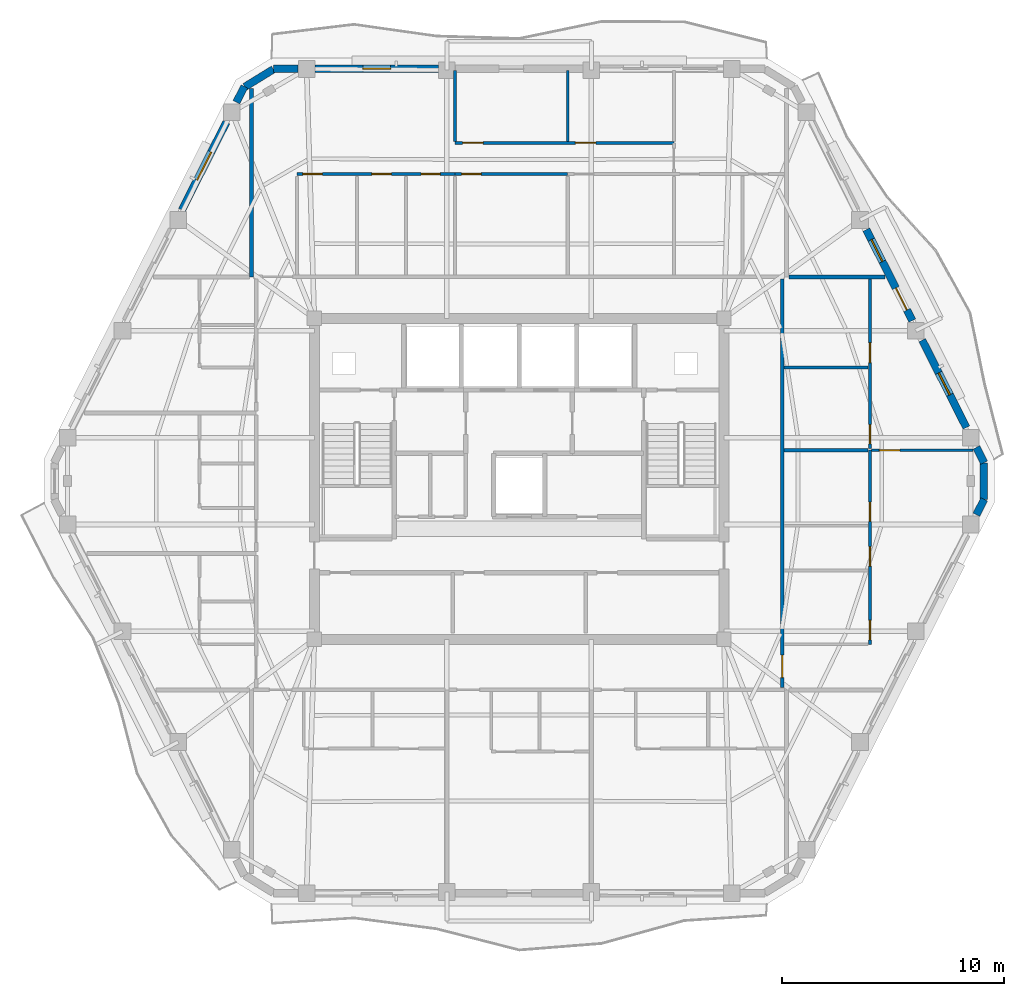
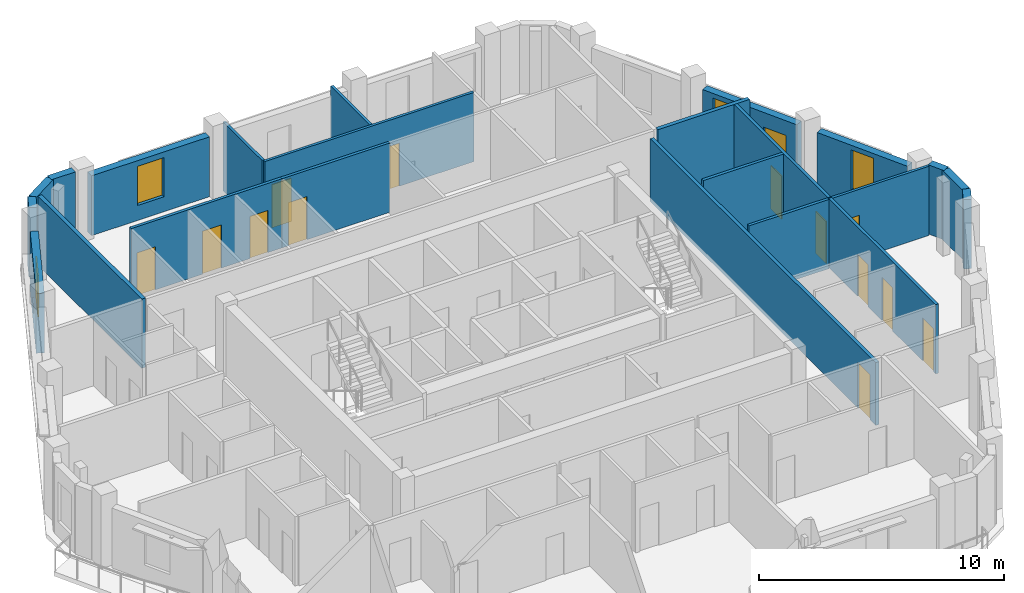
# One storey, part 7 of 11: 23 walls, 14 doors, 4 windows, 18 openings.
"""IFC4 building model written with IfcOpenShell, lengths in metres."""

from ifc_helpers import new_model, si_unit, direction, frame, frame_2d, origin, place, context, subcontext, project, spatial, rectangle, extrude, material, layer, layer_set, type_object, element, fill, save


model = new_model("IFC4")

# Units and contexts
model_context = context("Model", 3, precision=1e-05, world=origin(), true_north=direction((0.0, 1.0)))
body_context = subcontext(model_context, "Body", "Model", "MODEL_VIEW")
ifc_project = project(units=[si_unit("LENGTHUNIT", "METRE"), si_unit("AREAUNIT", "SQUARE_METRE"), si_unit("VOLUMEUNIT", "CUBIC_METRE"), si_unit("PLANEANGLEUNIT", "RADIAN"), si_unit("MASSUNIT", "GRAM", prefix="KILO")], contexts=[model_context])

# Site, building, storey
site_placement = place(None, origin())
site = spatial("IfcSite", under=ifc_project, at=site_placement, CompositionType="ELEMENT")
building_placement = place(site_placement, origin())
building = spatial("IfcBuilding", under=site, at=building_placement, Name="Cinnabar Lancet Tower", CompositionType="ELEMENT")
storey_placement = place(building_placement, frame((0.0, 0.0, 241.60009765625)))
storey = spatial("IfcBuildingStorey", under=building, at=storey_placement, Name="L64", CompositionType="ELEMENT", Elevation=241.60009765625)

# Wall, opening, door
ifc_material_1 = material(Name="Acoustic twin-stud gypsum partition", Category="gypsum")
ifc_layer_1 = layer(ifc_material_1, 0.159912109375)
ifc_layer_set_1 = layer_set([ifc_layer_1], Name="Acoustic twin-stud gypsum partition")
wall_type_1 = type_object("IfcWallType", Name="ARC-WL-CORR-160", PredefinedType="PARTITIONING", material=ifc_layer_set_1)
wall_1_placement = place(storey_placement, frame((44.25, 16.4951171875, 0.0), z_axis=(0.0, 0.0, 1.0), x_axis=(0.0, 1.0, 0.0)))
wall_1 = element("IfcWall", 1, at=wall_1_placement, inside=storey, type_object=wall_type_1, Name="UW-L64-E01-COR", PredefinedType="PARTITIONING", context=body_context, shape_type="SweptSolid", body=[
    extrude(rectangle(XDim=18.409912109375, YDim=0.159912109375, at=frame_2d((9.205078125, 0.0))), origin(), (0.0, 0.0, 1.0), 3.136962890625),
])
opening_1_placement = place(wall_1_placement, frame((0.449951171875, 0.0, 0.0)))
opening_1 = element("IfcOpeningElement", 2, at=opening_1_placement, cuts=wall_1, Name="Opening UD-01", PredefinedType="OPENING", context=body_context, shape_type="SweptSolid", body=[
    extrude(rectangle(XDim=1.02001953125, YDim=2.25, at=frame_2d((0.510009765625, 1.125))), frame((0.0, 0.08984375, 0.0), z_axis=(0.0, -1.0, 0.0), x_axis=(1.0, 0.0, 0.0)), (0.0, 0.0, 1.0), 0.179931640625),
])
ifc_material_2 = material(Name="Solid timber fire-rated apartment entrance door", Category="wood")
door_type_1 = type_object("IfcDoorType", Name="ARC-DR-UNIT", OperationType="NOTDEFINED", PredefinedType="DOOR", material=ifc_material_2)
door_1_placement = place(opening_1_placement, origin())
door_1 = element("IfcDoor", 3, at=door_1_placement, inside=storey, type_object=door_type_1, Name="DR-L64-E01-ENT", OperationType="SINGLE_SWING_LEFT", OverallHeight=2.25, OverallWidth=1.02001953125, PredefinedType="DOOR", context=body_context, shape_type="SweptSolid", body=[
    extrude(rectangle(XDim=1.02001953125, YDim=2.25, at=frame_2d((0.510009765625, 1.125))), frame((0.0, 0.02490234375, 0.0), z_axis=(0.0, -1.0, 0.0), x_axis=(1.0, 0.0, 0.0)), (0.0, 0.0, 1.0), 0.050048828125),
])
fill(opening_1, door_1)

# Walls
ifc_material_3 = material(Name="Fire-rated twin-frame acoustic drywall", Category="gypsum")
ifc_layer_2 = layer(ifc_material_3, 0.179931640625)
ifc_layer_set_2 = layer_set([ifc_layer_2], Name="Fire-rated twin-frame acoustic drywall")
wall_type_2 = type_object("IfcWallType", Name="ARC-WL-PARTY-180", PredefinedType="PARTITIONING", material=ifc_layer_set_2)
wall_2_placement = place(storey_placement, frame((20.35009765625, 35.0, 0.0), z_axis=(0.0, 0.0, 1.0), x_axis=(0.0, 1.0, 0.0)))
element("IfcWall", 4, at=wall_2_placement, inside=storey, type_object=wall_type_2, Name="PW-L64-NPTY-204", PredefinedType="PARTITIONING", context=body_context, shape_type="SweptSolid", body=[
    extrude(rectangle(XDim=8.48095703125, YDim=0.179931640625, at=frame_2d((4.240478515625, 0.0))), origin(), (0.0, 0.0, 1.0), 3.449951171875),
])
wall_3_placement = place(storey_placement, frame((44.544921875, 35.0, 0.0), z_axis=(0.0, 0.0, 1.0), x_axis=(1.0, 0.0, 0.0)))
element("IfcWall", 5, at=wall_3_placement, inside=storey, type_object=wall_type_2, Name="PW-L64-ENB", PredefinedType="PARTITIONING", context=body_context, shape_type="SweptSolid", body=[
    extrude(rectangle(XDim=4.322021484375, YDim=0.179931640625, at=frame_2d((2.1611328125, 0.0))), origin(), (0.0, 0.0, 1.0), 3.449951171875),
])
ifc_material_4 = material(Name="Gypsum plasterboard stud partition", Category="gypsum")
ifc_layer_3 = layer(ifc_material_4, 0.125)
ifc_layer_set_3 = layer_set([ifc_layer_3], Name="Gypsum plasterboard stud partition")
wall_type_3 = type_object("IfcWallType", Name="ARC-WL-UNIT-125", PredefinedType="PARTITIONING", material=ifc_layer_set_3)
wall_4_placement = place(storey_placement, frame((29.508056640625, 41.093994140625, 0.0), z_axis=(0.0, 0.0, 1.0), x_axis=(0.0, 1.0, 0.0)))
element("IfcWall", 6, at=wall_4_placement, inside=storey, type_object=wall_type_3, Name="UW-L64-N01-BD2W", PredefinedType="PARTITIONING", context=body_context, shape_type="SweptSolid", body=[
    extrude(rectangle(XDim=3.19091796875, YDim=0.125, at=frame_2d((1.595458984375, 0.0))), origin(), (0.0, 0.0, 1.0), 3.449951171875),
])

# Wall, openings, doors
wall_5_placement = place(storey_placement, frame((29.508056640625, 41.029052734375, 0.0), z_axis=(0.0, 0.0, 1.0), x_axis=(1.0, 0.0, 0.0)))
wall_5 = element("IfcWall", 7, at=wall_5_placement, inside=storey, type_object=wall_type_3, Name="UW-L64-N01-HLN", PredefinedType="PARTITIONING", context=body_context, shape_type="SweptSolid", body=[
    extrude(rectangle(XDim=9.862060546875, YDim=0.125, at=frame_2d((4.93115234375, 0.0))), origin(), (0.0, 0.0, 1.0), 3.449951171875),
])
opening_2_placement = place(wall_5_placement, frame((0.35009765625, 0.0, 0.0)))
opening_2 = element("IfcOpeningElement", 8, at=opening_2_placement, cuts=wall_5, Name="Opening RD-01", PredefinedType="OPENING", context=body_context, shape_type="SweptSolid", body=[
    extrude(rectangle(XDim=0.919921875, YDim=2.14990234375, at=frame_2d((0.4599609375, 1.074951171875))), frame((0.0, 0.072509765625, 0.0), z_axis=(0.0, -1.0, 0.0), x_axis=(1.0, 0.0, 0.0)), (0.0, 0.0, 1.0), 0.14501953125),
])
opening_3_placement = place(wall_5_placement, frame((5.429931640625, 0.0, 0.0)))
opening_3 = element("IfcOpeningElement", 9, at=opening_3_placement, cuts=wall_5, Name="Opening RD-01", PredefinedType="OPENING", context=body_context, shape_type="SweptSolid", body=[
    extrude(rectangle(XDim=0.919921875, YDim=2.14990234375, at=frame_2d((0.4599609375, 1.074951171875))), frame((0.0, 0.072509765625, 0.0), z_axis=(0.0, -1.0, 0.0), x_axis=(1.0, 0.0, 0.0)), (0.0, 0.0, 1.0), 0.14501953125),
])
ifc_material_5 = material(Name="Engineered timber bedroom door", Category="wood")
door_type_2 = type_object("IfcDoorType", Name="ARC-DR-ROOM", OperationType="NOTDEFINED", PredefinedType="DOOR", material=ifc_material_5)
door_2_placement = place(opening_2_placement, origin())
door_2 = element("IfcDoor", 10, at=door_2_placement, inside=storey, type_object=door_type_2, Name="DR-L64-N01-BD2", OperationType="SINGLE_SWING_RIGHT", OverallHeight=2.14990234375, OverallWidth=0.919921875, PredefinedType="DOOR", context=body_context, shape_type="SweptSolid", body=[
    extrude(rectangle(XDim=0.919921875, YDim=2.14990234375, at=frame_2d((0.4599609375, 1.074951171875))), frame((0.0, 0.02490234375, 0.0), z_axis=(0.0, -1.0, 0.0), x_axis=(1.0, 0.0, 0.0)), (0.0, 0.0, 1.0), 0.050048828125),
])
fill(opening_2, door_2)
door_3_placement = place(opening_3_placement, origin())
door_3 = element("IfcDoor", 11, at=door_3_placement, inside=storey, type_object=door_type_2, Name="DR-L64-N01-BD3", OperationType="SINGLE_SWING_LEFT", OverallHeight=2.14990234375, OverallWidth=0.919921875, PredefinedType="DOOR", context=body_context, shape_type="SweptSolid", body=[
    extrude(rectangle(XDim=0.919921875, YDim=2.14990234375, at=frame_2d((0.4599609375, 1.074951171875))), frame((0.0, 0.02490234375, 0.0), z_axis=(0.0, -1.0, 0.0), x_axis=(1.0, 0.0, 0.0)), (0.0, 0.0, 1.0), 0.050048828125),
])
fill(opening_3, door_3)

# Wall
wall_6_placement = place(storey_placement, frame((34.587890625, 41.093994140625, 0.0), z_axis=(0.0, 0.0, 1.0), x_axis=(0.0, 1.0, 0.0)))
element("IfcWall", 12, at=wall_6_placement, inside=storey, type_object=wall_type_3, Name="UW-L64-N01-MB2W", PredefinedType="PARTITIONING", context=body_context, shape_type="SweptSolid", body=[
    extrude(rectangle(XDim=3.19091796875, YDim=0.125, at=frame_2d((1.595458984375, 0.0))), origin(), (0.0, 0.0, 1.0), 3.449951171875),
])

# Wall, opening, door
wall_7_placement = place(storey_placement, frame((48.27490234375, 27.18798828125, 0.0), z_axis=(0.0, 0.0, 1.0), x_axis=(1.0, 0.0, 0.0)))
wall_7 = element("IfcWall", 13, at=wall_7_placement, inside=storey, type_object=wall_type_3, Name="UW-L64-E01-MBN", PredefinedType="PARTITIONING", context=body_context, shape_type="SweptSolid", body=[
    extrude(rectangle(XDim=4.55810546875, YDim=0.125, at=frame_2d((2.279052734375, 0.0))), origin(), (0.0, 0.0, 1.0), 3.449951171875),
])
opening_4_placement = place(wall_7_placement, frame((0.35009765625, 0.0, 0.0)))
opening_4 = element("IfcOpeningElement", 14, at=opening_4_placement, cuts=wall_7, Name="Opening RD-01", PredefinedType="OPENING", context=body_context, shape_type="SweptSolid", body=[
    extrude(rectangle(XDim=0.919921875, YDim=2.14990234375, at=frame_2d((0.4599609375, 1.074951171875))), frame((0.0, 0.072509765625, 0.0), z_axis=(0.0, -1.0, 0.0), x_axis=(1.0, 0.0, 0.0)), (0.0, 0.0, 1.0), 0.14501953125),
])
door_4_placement = place(opening_4_placement, origin())
door_4 = element("IfcDoor", 15, at=door_4_placement, inside=storey, type_object=door_type_2, Name="DR-L64-E01-MBD", OperationType="SINGLE_SWING_LEFT", OverallHeight=2.14990234375, OverallWidth=0.919921875, PredefinedType="DOOR", context=body_context, shape_type="SweptSolid", body=[
    extrude(rectangle(XDim=0.919921875, YDim=2.14990234375, at=frame_2d((0.4599609375, 1.074951171875))), frame((0.0, 0.02490234375, 0.0), z_axis=(0.0, -1.0, 0.0), x_axis=(1.0, 0.0, 0.0)), (0.0, 0.0, 1.0), 0.050048828125),
])
fill(opening_4, door_4)

# Wall, openings, doors
ifc_material_6 = material(Name="Moisture-resistant cement-board plumbing wall", Category="masonry")
ifc_layer_4 = layer(ifc_material_6, 0.139892578125)
ifc_layer_set_4 = layer_set([ifc_layer_4], Name="Moisture-resistant cement-board plumbing wall")
wall_type_4 = type_object("IfcWallType", Name="ARC-WL-WET-140", PredefinedType="PLUMBINGWALL", material=ifc_layer_set_4)
wall_8_placement = place(storey_placement, frame((22.39990234375, 39.62890625, 0.0), z_axis=(0.0, 0.0, 1.0), x_axis=(1.0, 0.0, 0.0)))
wall_8 = element("IfcWall", 16, at=wall_8_placement, inside=storey, type_object=wall_type_4, Name="UW-L64-N01-SPL", PredefinedType="PLUMBINGWALL", context=body_context, shape_type="SweptSolid", body=[
    extrude(rectangle(XDim=7.108154296875, YDim=0.139892578125, at=frame_2d((3.55419921875, 0.0))), origin(), (0.0, 0.0, 1.0), 3.449951171875),
])
opening_5_placement = place(wall_8_placement, frame((5.58203125, 0.0, 0.0)))
opening_5 = element("IfcOpeningElement", 17, at=opening_5_placement, cuts=wall_8, Name="Opening BD-01", PredefinedType="OPENING", context=body_context, shape_type="SweptSolid", body=[
    extrude(rectangle(XDim=0.860107421875, YDim=2.10009765625, at=frame_2d((0.43017578125, 1.050048828125))), frame((0.0, 0.079833984375, 0.0), z_axis=(0.0, -1.0, 0.0), x_axis=(1.0, 0.0, 0.0)), (0.0, 0.0, 1.0), 0.159912109375),
])
opening_6_placement = place(wall_8_placement, frame((0.260009765625, 0.0, 0.0)))
opening_6 = element("IfcOpeningElement", 18, at=opening_6_placement, cuts=wall_8, Name="Opening RD-02", PredefinedType="OPENING", context=body_context, shape_type="SweptSolid", body=[
    extrude(rectangle(XDim=0.8798828125, YDim=2.14990234375, at=frame_2d((0.43994140625, 1.074951171875))), frame((0.0, 0.079833984375, 0.0), z_axis=(0.0, -1.0, 0.0), x_axis=(1.0, 0.0, 0.0)), (0.0, 0.0, 1.0), 0.159912109375),
])
opening_7_placement = place(wall_8_placement, frame((3.363037109375, 0.0, 0.0)))
opening_7 = element("IfcOpeningElement", 19, at=opening_7_placement, cuts=wall_8, Name="Opening RD-02", PredefinedType="OPENING", context=body_context, shape_type="SweptSolid", body=[
    extrude(rectangle(XDim=0.8798828125, YDim=2.14990234375, at=frame_2d((0.43994140625, 1.074951171875))), frame((0.0, 0.079833984375, 0.0), z_axis=(0.0, -1.0, 0.0), x_axis=(1.0, 0.0, 0.0)), (0.0, 0.0, 1.0), 0.159912109375),
])
ifc_material_7 = material(Name="Moisture-resistant timber bathroom door", Category="wood")
door_type_3 = type_object("IfcDoorType", Name="ARC-DR-BATH", OperationType="NOTDEFINED", PredefinedType="DOOR", material=ifc_material_7)
door_5_placement = place(opening_5_placement, origin())
door_5 = element("IfcDoor", 20, at=door_5_placement, inside=storey, type_object=door_type_3, Name="DR-L64-N01-BTH", OperationType="SINGLE_SWING_RIGHT", OverallHeight=2.10009765625, OverallWidth=0.860107421875, PredefinedType="DOOR", context=body_context, shape_type="SweptSolid", body=[
    extrude(rectangle(XDim=0.860107421875, YDim=2.10009765625, at=frame_2d((0.43017578125, 1.050048828125))), frame((0.0, 0.02490234375, 0.0), z_axis=(0.0, -1.0, 0.0), x_axis=(1.0, 0.0, 0.0)), (0.0, 0.0, 1.0), 0.050048828125),
])
fill(opening_5, door_5)
ifc_material_8 = material(Name="Engineered timber study door", Category="wood")
door_type_4 = type_object("IfcDoorType", Name="ARC-DR-STUDY", OperationType="NOTDEFINED", PredefinedType="DOOR", material=ifc_material_8)
door_6_placement = place(opening_6_placement, origin())
door_6 = element("IfcDoor", 21, at=door_6_placement, inside=storey, type_object=door_type_4, Name="DR-L64-N01-KIT", OperationType="SINGLE_SWING_RIGHT", OverallHeight=2.14990234375, OverallWidth=0.8798828125, PredefinedType="DOOR", context=body_context, shape_type="SweptSolid", body=[
    extrude(rectangle(XDim=0.8798828125, YDim=2.14990234375, at=frame_2d((0.43994140625, 1.074951171875))), frame((0.0, 0.02490234375, 0.0), z_axis=(0.0, -1.0, 0.0), x_axis=(1.0, 0.0, 0.0)), (0.0, 0.0, 1.0), 0.050048828125),
])
fill(opening_6, door_6)
door_7_placement = place(opening_7_placement, origin())
door_7 = element("IfcDoor", 22, at=door_7_placement, inside=storey, type_object=door_type_4, Name="DR-L64-N01-STD", OperationType="SINGLE_SWING_LEFT", OverallHeight=2.14990234375, OverallWidth=0.8798828125, PredefinedType="DOOR", context=body_context, shape_type="SweptSolid", body=[
    extrude(rectangle(XDim=0.8798828125, YDim=2.14990234375, at=frame_2d((0.43994140625, 1.074951171875))), frame((0.0, 0.02490234375, 0.0), z_axis=(0.0, -1.0, 0.0), x_axis=(1.0, 0.0, 0.0)), (0.0, 0.0, 1.0), 0.050048828125),
])
fill(opening_7, door_7)

# Wall, opening, door
wall_9_placement = place(storey_placement, frame((29.508056640625, 39.62890625, 0.0), z_axis=(0.0, 0.0, 1.0), x_axis=(1.0, 0.0, 0.0)))
wall_9 = element("IfcWall", 23, at=wall_9_placement, inside=storey, type_object=wall_type_4, Name="UW-L64-N01-SPM", PredefinedType="PLUMBINGWALL", context=body_context, shape_type="SweptSolid", body=[
    extrude(rectangle(XDim=5.079833984375, YDim=0.139892578125, at=frame_2d((2.5400390625, 0.0))), origin(), (0.0, 0.0, 1.0), 3.449951171875),
])
opening_8_placement = place(wall_9_placement, frame((0.300048828125, 0.0, 0.0)))
opening_8 = element("IfcOpeningElement", 24, at=opening_8_placement, cuts=wall_9, Name="Opening RD-02", PredefinedType="OPENING", context=body_context, shape_type="SweptSolid", body=[
    extrude(rectangle(XDim=0.8798828125, YDim=2.14990234375, at=frame_2d((0.43994140625, 1.074951171875))), frame((0.0, 0.079833984375, 0.0), z_axis=(0.0, -1.0, 0.0), x_axis=(1.0, 0.0, 0.0)), (0.0, 0.0, 1.0), 0.159912109375),
])
door_8_placement = place(opening_8_placement, origin())
door_8 = element("IfcDoor", 25, at=door_8_placement, inside=storey, type_object=door_type_4, Name="DR-L64-N01-UTL", OperationType="SINGLE_SWING_LEFT", OverallHeight=2.14990234375, OverallWidth=0.8798828125, PredefinedType="DOOR", context=body_context, shape_type="SweptSolid", body=[
    extrude(rectangle(XDim=0.8798828125, YDim=2.14990234375, at=frame_2d((0.43994140625, 1.074951171875))), frame((0.0, 0.02490234375, 0.0), z_axis=(0.0, -1.0, 0.0), x_axis=(1.0, 0.0, 0.0)), (0.0, 0.0, 1.0), 0.050048828125),
])
fill(opening_8, door_8)

# Wall, openings, doors
wall_10_placement = place(storey_placement, frame((48.199951171875, 18.449951171875, 0.0), z_axis=(0.0, 0.0, 1.0), x_axis=(0.0, 1.0, 0.0)))
wall_10 = element("IfcWall", 26, at=wall_10_placement, inside=storey, type_object=wall_type_4, Name="UW-L64-E01-SPL", PredefinedType="PLUMBINGWALL", context=body_context, shape_type="SweptSolid", body=[
    extrude(rectangle(XDim=8.738037109375, YDim=0.139892578125, at=frame_2d((4.369140625, 0.0))), origin(), (0.0, 0.0, 1.0), 3.449951171875),
])
opening_9_placement = place(wall_10_placement, frame((0.199951171875, 0.0, 0.0)))
opening_9 = element("IfcOpeningElement", 27, at=opening_9_placement, cuts=wall_10, Name="Opening RD-02", PredefinedType="OPENING", context=body_context, shape_type="SweptSolid", body=[
    extrude(rectangle(XDim=0.8798828125, YDim=2.14990234375, at=frame_2d((0.43994140625, 1.074951171875))), frame((0.0, 0.079833984375, 0.0), z_axis=(0.0, -1.0, 0.0), x_axis=(1.0, 0.0, 0.0)), (0.0, 0.0, 1.0), 0.159912109375),
])
opening_10_placement = place(wall_10_placement, frame((3.52001953125, 0.0, 0.0)))
opening_10 = element("IfcOpeningElement", 28, at=opening_10_placement, cuts=wall_10, Name="Opening RD-02", PredefinedType="OPENING", context=body_context, shape_type="SweptSolid", body=[
    extrude(rectangle(XDim=0.8798828125, YDim=2.14990234375, at=frame_2d((0.43994140625, 1.074951171875))), frame((0.0, 0.079833984375, 0.0), z_axis=(0.0, -1.0, 0.0), x_axis=(1.0, 0.0, 0.0)), (0.0, 0.0, 1.0), 0.159912109375),
])
opening_11_placement = place(wall_10_placement, frame((5.5380859375, 0.0, 0.0)))
opening_11 = element("IfcOpeningElement", 29, at=opening_11_placement, cuts=wall_10, Name="Opening BD-01", PredefinedType="OPENING", context=body_context, shape_type="SweptSolid", body=[
    extrude(rectangle(XDim=0.860107421875, YDim=2.10009765625, at=frame_2d((0.43017578125, 1.050048828125))), frame((0.0, 0.079833984375, 0.0), z_axis=(0.0, -1.0, 0.0), x_axis=(1.0, 0.0, 0.0)), (0.0, 0.0, 1.0), 0.159912109375),
])
door_9_placement = place(opening_11_placement, origin())
door_9 = element("IfcDoor", 30, at=door_9_placement, inside=storey, type_object=door_type_3, Name="DR-L64-E01-BTH", OperationType="SINGLE_SWING_RIGHT", OverallHeight=2.10009765625, OverallWidth=0.860107421875, PredefinedType="DOOR", context=body_context, shape_type="SweptSolid", body=[
    extrude(rectangle(XDim=0.860107421875, YDim=2.10009765625, at=frame_2d((0.43017578125, 1.050048828125))), frame((0.0, 0.02490234375, 0.0), z_axis=(0.0, -1.0, 0.0), x_axis=(1.0, 0.0, 0.0)), (0.0, 0.0, 1.0), 0.050048828125),
])
fill(opening_11, door_9)
door_10_placement = place(opening_9_placement, origin())
door_10 = element("IfcDoor", 31, at=door_10_placement, inside=storey, type_object=door_type_4, Name="DR-L64-E01-KIT", OperationType="SINGLE_SWING_RIGHT", OverallHeight=2.14990234375, OverallWidth=0.8798828125, PredefinedType="DOOR", context=body_context, shape_type="SweptSolid", body=[
    extrude(rectangle(XDim=0.8798828125, YDim=2.14990234375, at=frame_2d((0.43994140625, 1.074951171875))), frame((0.0, 0.02490234375, 0.0), z_axis=(0.0, -1.0, 0.0), x_axis=(1.0, 0.0, 0.0)), (0.0, 0.0, 1.0), 0.050048828125),
])
fill(opening_9, door_10)
door_11_placement = place(opening_10_placement, origin())
door_11 = element("IfcDoor", 32, at=door_11_placement, inside=storey, type_object=door_type_4, Name="DR-L64-E01-UTL", OperationType="SINGLE_SWING_LEFT", OverallHeight=2.14990234375, OverallWidth=0.8798828125, PredefinedType="DOOR", context=body_context, shape_type="SweptSolid", body=[
    extrude(rectangle(XDim=0.8798828125, YDim=2.14990234375, at=frame_2d((0.43994140625, 1.074951171875))), frame((0.0, 0.02490234375, 0.0), z_axis=(0.0, -1.0, 0.0), x_axis=(1.0, 0.0, 0.0)), (0.0, 0.0, 1.0), 0.050048828125),
])
fill(opening_10, door_11)

wall_11_placement = place(storey_placement, frame((48.199951171875, 27.258056640625, 0.0), z_axis=(0.0, 0.0, 1.0), x_axis=(0.0, 1.0, 0.0)))
wall_11 = element("IfcWall", 33, at=wall_11_placement, inside=storey, type_object=wall_type_4, Name="UW-L64-E01-SPM", PredefinedType="PLUMBINGWALL", context=body_context, shape_type="SweptSolid", body=[
    extrude(rectangle(XDim=7.64697265625, YDim=0.139892578125, at=frame_2d((3.823486328125, 0.0))), origin(), (0.0, 0.0, 1.0), 3.449951171875),
])
opening_12_placement = place(wall_11_placement, frame((0.219970703125, 0.0, 0.0)))
opening_12 = element("IfcOpeningElement", 34, at=opening_12_placement, cuts=wall_11, Name="Opening BD-01", PredefinedType="OPENING", context=body_context, shape_type="SweptSolid", body=[
    extrude(rectangle(XDim=0.860107421875, YDim=2.10009765625, at=frame_2d((0.43017578125, 1.050048828125))), frame((0.0, 0.079833984375, 0.0), z_axis=(0.0, -1.0, 0.0), x_axis=(1.0, 0.0, 0.0)), (0.0, 0.0, 1.0), 0.159912109375),
])
opening_13_placement = place(wall_11_placement, frame((3.8798828125, 0.0, 0.0)))
opening_13 = element("IfcOpeningElement", 35, at=opening_13_placement, cuts=wall_11, Name="Opening RD-02", PredefinedType="OPENING", context=body_context, shape_type="SweptSolid", body=[
    extrude(rectangle(XDim=0.8798828125, YDim=2.14990234375, at=frame_2d((0.43994140625, 1.074951171875))), frame((0.0, 0.079833984375, 0.0), z_axis=(0.0, -1.0, 0.0), x_axis=(1.0, 0.0, 0.0)), (0.0, 0.0, 1.0), 0.159912109375),
])
door_12_placement = place(opening_12_placement, origin())
door_12 = element("IfcDoor", 36, at=door_12_placement, inside=storey, type_object=door_type_3, Name="DR-L64-E01-ENS", OperationType="SINGLE_SWING_LEFT", OverallHeight=2.10009765625, OverallWidth=0.860107421875, PredefinedType="DOOR", context=body_context, shape_type="SweptSolid", body=[
    extrude(rectangle(XDim=0.860107421875, YDim=2.10009765625, at=frame_2d((0.43017578125, 1.050048828125))), frame((0.0, 0.02490234375, 0.0), z_axis=(0.0, -1.0, 0.0), x_axis=(1.0, 0.0, 0.0)), (0.0, 0.0, 1.0), 0.050048828125),
])
fill(opening_12, door_12)
door_13_placement = place(opening_13_placement, origin())
door_13 = element("IfcDoor", 37, at=door_13_placement, inside=storey, type_object=door_type_4, Name="DR-L64-E01-EWDR", OperationType="SINGLE_SWING_RIGHT", OverallHeight=2.14990234375, OverallWidth=0.8798828125, PredefinedType="DOOR", context=body_context, shape_type="SweptSolid", body=[
    extrude(rectangle(XDim=0.8798828125, YDim=2.14990234375, at=frame_2d((0.43994140625, 1.074951171875))), frame((0.0, 0.02490234375, 0.0), z_axis=(0.0, -1.0, 0.0), x_axis=(1.0, 0.0, 0.0)), (0.0, 0.0, 1.0), 0.050048828125),
])
fill(opening_13, door_13)

# Walls
for number, where, z_axis, x_axis, name in (
    (38, (44.3349609375, 27.18798828125, 0.0), (0.0, 0.0, 1.0), (1.0, 0.0, 0.0), "UW-L64-E01-ENSN"),
    (39, (44.3349609375, 30.91796875, 0.0), (0.0, 0.0, 1.0), (1.0, 0.0, 0.0), "UW-L64-E01-EWDV"),
):
    element("IfcWall", number, at=place(storey_placement, frame(where, z_axis=z_axis, x_axis=x_axis)), inside=storey, type_object=wall_type_4, Name=name, PredefinedType="PLUMBINGWALL", context=body_context, shape_type="SweptSolid", body=[
        extrude(rectangle(XDim=3.780029296875, YDim=0.139892578125, at=frame_2d((1.89013671875, 0.0))), origin(), (0.0, 0.0, 1.0), 3.449951171875),
    ])
ifc_material_9 = material(Name="Cinnabar red clay brick", Category="masonry")
ifc_layer_5 = layer(ifc_material_9, 0.340087890625)
ifc_layer_set_5 = layer_set([ifc_layer_5], Name="Cinnabar red clay brick")
wall_type_5 = type_object("IfcWallType", Name="ENV-WL-BRK-RED-340", PredefinedType="STANDARD", material=ifc_layer_set_5)
wall_12_placement = place(storey_placement, frame((53.322998046875, 24.97998046875, 0.0), z_axis=(0.0, 0.0, 1.0), x_axis=(0.0, 1.0, 0.0)))
element("IfcWall", 40, at=wall_12_placement, inside=storey, type_object=wall_type_5, Name="L64 Chamfered Corner Brick Pier 3.1", PredefinedType="STANDARD", context=body_context, shape_type="SweptSolid", body=[
    extrude(rectangle(XDim=1.64013671875, YDim=0.340087890625, at=frame_2d((0.820068359375, 0.0))), origin(), (0.0, 0.0, 1.0), 3.449951171875),
])
wall_13_placement = place(storey_placement, frame((21.3310546875, 44.344970703125, 0.0), z_axis=(0.0, 0.0, 1.0), x_axis=(-0.851680557619, -0.52406128246, 0.0)))
element("IfcWall", 41, at=wall_13_placement, inside=storey, type_object=wall_type_5, Name="L64 Chamfered Corner Brick Pier 5.1", PredefinedType="STANDARD", context=body_context, shape_type="SweptSolid", body=[
    extrude(rectangle(XDim=1.507568359375, YDim=0.340087890625, at=frame_2d((0.75390625, 0.0))), origin(), (0.0, 0.0, 1.0), 3.449951171875),
])
for number, where, z_axis, x_axis, name in (
    (42, (52.99609375, 24.283935546875, 0.0), (0.0, 0.0, 1.0), (0.45075284655, 0.892648795063, 0.0), "L64 Face 2 Masonry Bay Wall 5"),
    (43, (53.343994140625, 26.626953125, 0.0), (0.0, 0.0, 1.0), (-0.45075284655, 0.892648795063, 0.0), "L64 Face 3 Masonry Bay Wall 1"),
):
    element("IfcWall", number, at=place(storey_placement, frame(where, z_axis=z_axis, x_axis=x_axis)), inside=storey, type_object=wall_type_5, Name=name, PredefinedType="STANDARD", context=body_context, shape_type="SweptSolid", body=[
        extrude(rectangle(XDim=0.771728515625, YDim=0.340087890625, at=frame_2d((0.3857421875, 0.0))), origin(), (0.0, 0.0, 1.0), 3.449951171875),
    ])

# Wall, opening, window
wall_14_placement = place(storey_placement, frame((52.54296875, 28.2109375, 0.0), z_axis=(0.0, 0.0, 1.0), x_axis=(-0.451285866323, 0.892379441077, 0.0)))
wall_14 = element("IfcWall", 44, at=wall_14_placement, inside=storey, type_object=wall_type_5, Name="L64 Face 3 Masonry Bay Wall 2", PredefinedType="STANDARD", context=body_context, shape_type="SweptSolid", body=[
    extrude(rectangle(XDim=4.407470703125, YDim=0.340087890625, at=frame_2d((2.20361328125, 0.0))), origin(), (0.0, 0.0, 1.0), 2.98291015625),
])
opening_14_placement = place(wall_14_placement, frame((1.654052734375, 0.0, 0.75)))
opening_14 = element("IfcOpeningElement", 45, at=opening_14_placement, cuts=wall_14, Name="Opening WN-04", PredefinedType="OPENING", context=body_context, shape_type="SweptSolid", body=[
    extrude(rectangle(XDim=1.10009765625, YDim=2.0, at=frame_2d((0.550048828125, 1.0))), frame((0.0, 0.179931640625, 0.0), z_axis=(0.0, -1.0, 0.0), x_axis=(1.0, 0.0, 0.0)), (0.0, 0.0, 1.0), 0.360107421875),
])
ifc_material_10 = material(Name="Thermally broken bronze-anodized aluminium tall lancet window", Category="aluminium")
window_type_1 = type_object("IfcWindowType", Name="ENV-WN-LANCET-1100", PartitioningType="SINGLE_PANEL", PredefinedType="WINDOW", material=ifc_material_10)
window_1_placement = place(opening_14_placement, origin())
window_1 = element("IfcWindow", 46, at=window_1_placement, inside=storey, type_object=window_type_1, Name="L64 Face 3 Gothic Lancet Window 2", OverallHeight=2.0, OverallWidth=1.10009765625, PartitioningType="SINGLE_PANEL", PredefinedType="WINDOW", context=body_context, shape_type="SweptSolid", body=[
    extrude(rectangle(XDim=1.10009765625, YDim=2.0, at=frame_2d((0.550048828125, 1.0))), frame((0.0, 0.030029296875, 0.0), z_axis=(0.0, -1.0, 0.0), x_axis=(1.0, 0.0, 0.0)), (0.0, 0.0, 1.0), 0.06005859375),
])
fill(opening_14, window_1)

# Wall, openings, door, window
wall_15_placement = place(storey_placement, frame((50.10888671875, 33.02294921875, 0.0), z_axis=(0.0, 0.0, 1.0), x_axis=(-0.451539564999, 0.892251097641, 0.0)))
wall_15 = element("IfcWall", 47, at=wall_15_placement, inside=storey, type_object=wall_type_5, Name="L64 Face 3 Masonry Bay Wall 3", PredefinedType="STANDARD", context=body_context, shape_type="SweptSolid", body=[
    extrude(rectangle(XDim=4.599609375, YDim=0.340087890625, at=frame_2d((2.2998046875, 0.0))), origin(), (0.0, 0.0, 1.0), 2.98291015625),
])
opening_15_placement = place(wall_15_placement, frame((0.5419921875, 0.0, 0.0)))
opening_15 = element("IfcOpeningElement", 48, at=opening_15_placement, cuts=wall_15, Name="Opening TD-01", PredefinedType="OPENING", context=body_context, shape_type="SweptSolid", body=[
    extrude(rectangle(XDim=1.10009765625, YDim=2.25, at=frame_2d((0.550048828125, 1.125))), frame((0.0, 0.179931640625, 0.0), z_axis=(0.0, -1.0, 0.0), x_axis=(1.0, 0.0, 0.0)), (0.0, 0.0, 1.0), 0.360107421875),
])
opening_16_placement = place(wall_15_placement, frame((2.988037109375, 0.0, 0.75)))
opening_16 = element("IfcOpeningElement", 49, at=opening_16_placement, cuts=wall_15, Name="Opening WN-04", PredefinedType="OPENING", context=body_context, shape_type="SweptSolid", body=[
    extrude(rectangle(XDim=1.10009765625, YDim=2.0, at=frame_2d((0.550048828125, 1.0))), frame((0.0, 0.179931640625, 0.0), z_axis=(0.0, -1.0, 0.0), x_axis=(1.0, 0.0, 0.0)), (0.0, 0.0, 1.0), 0.360107421875),
])
ifc_material_11 = material(Name="Thermally broken low-E glazed balcony terrace door", Category="wood")
door_type_5 = type_object("IfcDoorType", Name="ARC-DR-BALC", OperationType="NOTDEFINED", PredefinedType="DOOR", material=ifc_material_11)
door_14_placement = place(opening_15_placement, origin())
door_14 = element("IfcDoor", 50, at=door_14_placement, inside=storey, type_object=door_type_5, Name="L64 Face 3 Glazed Terrace Door", OperationType="SINGLE_SWING_LEFT", OverallHeight=2.25, OverallWidth=1.10009765625, PredefinedType="DOOR", context=body_context, shape_type="SweptSolid", body=[
    extrude(rectangle(XDim=1.10009765625, YDim=2.25, at=frame_2d((0.550048828125, 1.125))), frame((0.0, 0.02490234375, 0.0), z_axis=(0.0, -1.0, 0.0), x_axis=(1.0, 0.0, 0.0)), (0.0, 0.0, 1.0), 0.050048828125),
])
fill(opening_15, door_14)
window_2_placement = place(opening_16_placement, origin())
window_2 = element("IfcWindow", 51, at=window_2_placement, inside=storey, type_object=window_type_1, Name="L64 Split-Bay Gothic Lancet Window 224", OverallHeight=2.0, OverallWidth=1.10009765625, PartitioningType="SINGLE_PANEL", PredefinedType="WINDOW", context=body_context, shape_type="SweptSolid", body=[
    extrude(rectangle(XDim=1.10009765625, YDim=2.0, at=frame_2d((0.550048828125, 1.0))), frame((0.0, 0.030029296875, 0.0), z_axis=(0.0, -1.0, 0.0), x_axis=(1.0, 0.0, 0.0)), (0.0, 0.0, 1.0), 0.06005859375),
])
fill(opening_16, window_2)

# Wall, opening, window
wall_16_placement = place(storey_placement, frame((28.76708984375, 44.3701171875, 0.0), z_axis=(0.0, 0.0, 1.0), x_axis=(-1.0, 0.0, 0.0)))
wall_16 = element("IfcWall", 52, at=wall_16_placement, inside=storey, type_object=wall_type_5, Name="L64 Face 4 Masonry Bay Wall 4", PredefinedType="STANDARD", context=body_context, shape_type="SweptSolid", body=[
    extrude(rectangle(XDim=5.56005859375, YDim=0.340087890625, at=frame_2d((2.780029296875, 0.0))), origin(), (0.0, 0.0, 1.0), 2.98291015625),
])
opening_17_placement = place(wall_16_placement, frame((2.155029296875, 0.0, 0.75)))
opening_17 = element("IfcOpeningElement", 53, at=opening_17_placement, cuts=wall_16, Name="Opening WN-03", PredefinedType="OPENING", context=body_context, shape_type="SweptSolid", body=[
    extrude(rectangle(XDim=1.25, YDim=1.949951171875, at=frame_2d((0.625, 0.97509765625))), frame((0.0, 0.179931640625, 0.0), z_axis=(0.0, -1.0, 0.0), x_axis=(1.0, 0.0, 0.0)), (0.0, 0.0, 1.0), 0.360107421875),
])
ifc_material_12 = material(Name="Thermally broken bronze-anodized aluminium low-E double glazing", Category="aluminium")
window_type_2 = type_object("IfcWindowType", Name="ENV-WN-LANCET-1250", PartitioningType="SINGLE_PANEL", PredefinedType="WINDOW", material=ifc_material_12)
window_3_placement = place(opening_17_placement, origin())
window_3 = element("IfcWindow", 54, at=window_3_placement, inside=storey, type_object=window_type_2, Name="L64 Face 4 Gothic Lancet Window 4", OverallHeight=1.949951171875, OverallWidth=1.25, PartitioningType="SINGLE_PANEL", PredefinedType="WINDOW", context=body_context, shape_type="SweptSolid", body=[
    extrude(rectangle(XDim=1.25, YDim=1.949951171875, at=frame_2d((0.625, 0.97509765625))), frame((0.0, 0.030029296875, 0.0), z_axis=(0.0, -1.0, 0.0), x_axis=(1.0, 0.0, 0.0)), (0.0, 0.0, 1.0), 0.06005859375),
])
fill(opening_17, window_3)

# Walls
wall_17_placement = place(storey_placement, frame((22.448974609375, 44.3701171875, 0.0), z_axis=(0.0, 0.0, 1.0), x_axis=(-1.0, 0.0, 0.0)))
element("IfcWall", 55, at=wall_17_placement, inside=storey, type_object=wall_type_5, Name="L64 Face 4 Masonry Bay Wall 5", PredefinedType="STANDARD", context=body_context, shape_type="SweptSolid", body=[
    extrude(rectangle(XDim=1.123046875, YDim=0.340087890625, at=frame_2d((0.5615234375, 0.0))), origin(), (0.0, 0.0, 1.0), 3.449951171875),
])
wall_18_placement = place(storey_placement, frame((20.027099609375, 43.571044921875, 0.0), z_axis=(0.0, 0.0, 1.0), x_axis=(-0.451404919072, -0.89231922485, 0.0)))
element("IfcWall", 56, at=wall_18_placement, inside=storey, type_object=wall_type_5, Name="L64 Face 5 Masonry Bay Wall 1", PredefinedType="STANDARD", context=body_context, shape_type="SweptSolid", body=[
    extrude(rectangle(XDim=0.791259765625, YDim=0.340087890625, at=frame_2d((0.3955078125, 0.0))), origin(), (0.0, 0.0, 1.0), 3.449951171875),
])

# Wall, opening, window
wall_19_placement = place(storey_placement, frame((19.214111328125, 41.962890625, 0.0), z_axis=(0.0, 0.0, 1.0), x_axis=(-0.451463046281, -0.89228981718, 0.0)))
wall_19 = element("IfcWall", 57, at=wall_19_placement, inside=storey, type_object=wall_type_5, Name="L64 Face 5 Masonry Bay Wall 2", PredefinedType="STANDARD", context=body_context, shape_type="SweptSolid", body=[
    extrude(rectangle(XDim=4.429931640625, YDim=0.340087890625, at=frame_2d((2.21484375, 0.0))), origin(), (0.0, 0.0, 1.0), 2.98291015625),
])
opening_18_placement = place(wall_19_placement, frame((1.514892578125, 0.0, 0.75)))
opening_18 = element("IfcOpeningElement", 58, at=opening_18_placement, cuts=wall_19, Name="Opening WN-02", PredefinedType="OPENING", context=body_context, shape_type="SweptSolid", body=[
    extrude(rectangle(XDim=1.39990234375, YDim=2.050048828125, at=frame_2d((0.699951171875, 1.02490234375))), frame((0.0, 0.179931640625, 0.0), z_axis=(0.0, -1.0, 0.0), x_axis=(1.0, 0.0, 0.0)), (0.0, 0.0, 1.0), 0.360107421875),
])
ifc_material_13 = material(Name="Thermally broken bronze-anodized aluminium low-E double glazing", Category="aluminium")
window_type_3 = type_object("IfcWindowType", Name="ENV-WN-LANCET-1400", PartitioningType="SINGLE_PANEL", PredefinedType="WINDOW", material=ifc_material_13)
window_4_placement = place(opening_18_placement, origin())
window_4 = element("IfcWindow", 59, at=window_4_placement, inside=storey, type_object=window_type_3, Name="L64 Face 5 Gothic Lancet Window 2", OverallHeight=2.050048828125, OverallWidth=1.39990234375, PartitioningType="SINGLE_PANEL", PredefinedType="WINDOW", context=body_context, shape_type="SweptSolid", body=[
    extrude(rectangle(XDim=1.39990234375, YDim=2.050048828125, at=frame_2d((0.699951171875, 1.02490234375))), frame((0.0, 0.030029296875, 0.0), z_axis=(0.0, -1.0, 0.0), x_axis=(1.0, 0.0, 0.0)), (0.0, 0.0, 1.0), 0.06005859375),
])
fill(opening_18, window_4)

save(model, "model.ifc")
